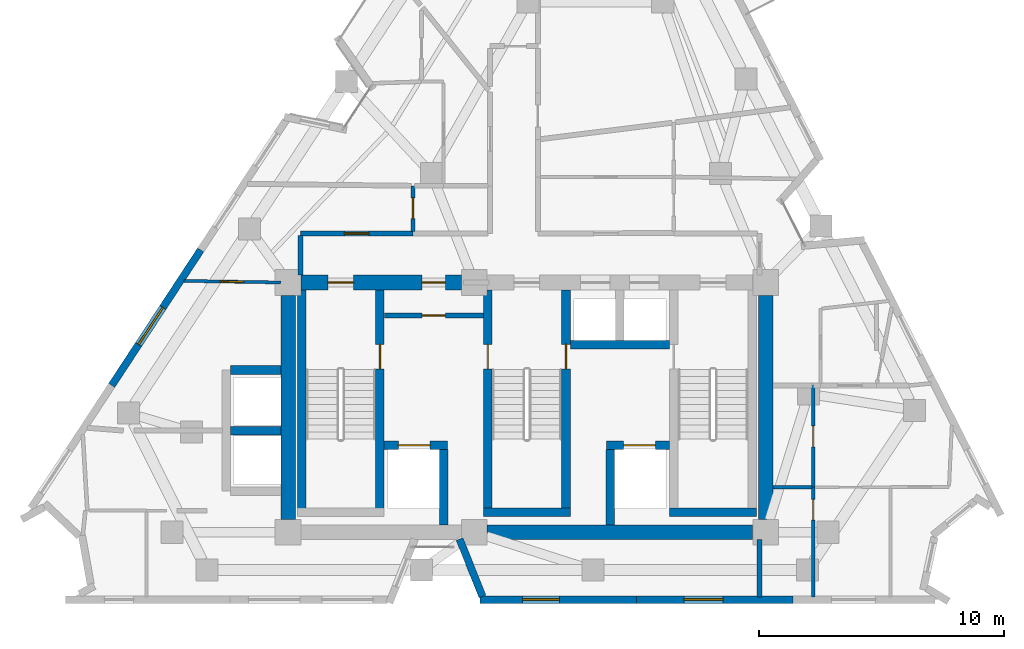
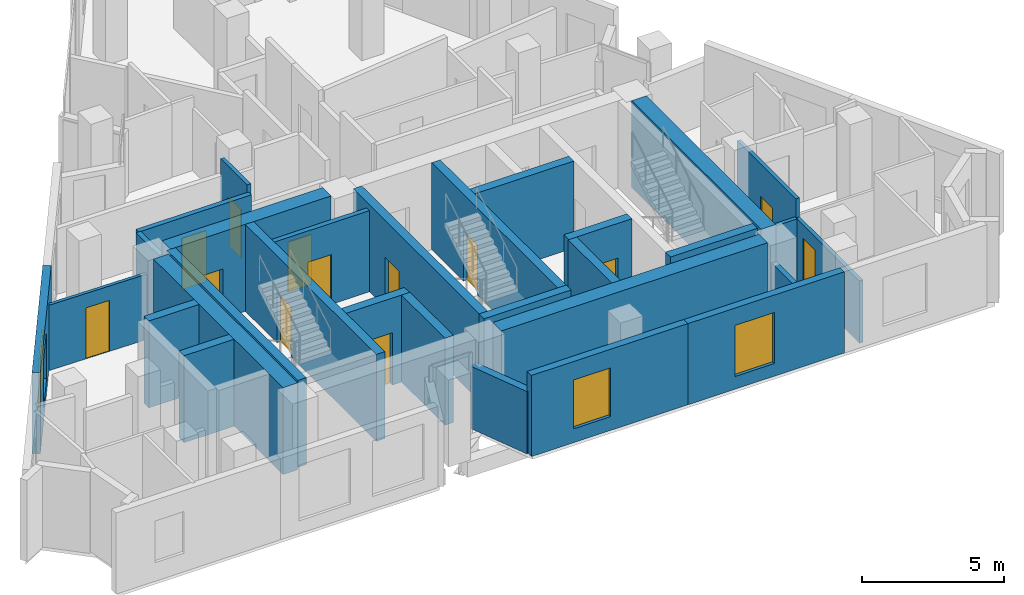
# One storey, part 5 of 9: 30 walls, 13 doors, 3 windows, 16 openings.
"""IFC4 building model written with IfcOpenShell, lengths in metres."""

from ifc_helpers import new_model, si_unit, direction, frame, frame_2d, origin, place, context, subcontext, project, spatial, rectangle, extrude, material, layer, layer_set, type_object, element, fill, save


model = new_model("IFC4")

# Units and contexts
model_context = context("Model", 3, precision=1e-05, world=origin(), true_north=direction((0.0, 1.0)))
body_context = subcontext(model_context, "Body", "Model", "MODEL_VIEW")
ifc_project = project(units=[si_unit("LENGTHUNIT", "METRE"), si_unit("AREAUNIT", "SQUARE_METRE"), si_unit("VOLUMEUNIT", "CUBIC_METRE"), si_unit("PLANEANGLEUNIT", "RADIAN"), si_unit("MASSUNIT", "GRAM", prefix="KILO")], contexts=[model_context])

# Site, building, storey
site_placement = place(None, origin())
site = spatial("IfcSite", under=ifc_project, at=site_placement, CompositionType="ELEMENT")
building_placement = place(site_placement, origin())
building = spatial("IfcBuilding", under=site, at=building_placement, Name="Almagre Mirador Tower", CompositionType="ELEMENT")
storey_placement = place(building_placement, frame((0.0, 0.0, 237.0)))
storey = spatial("IfcBuildingStorey", under=building, at=storey_placement, Name="L61", CompositionType="ELEMENT", Elevation=237.0)

# Wall, opening, window
ifc_material_1 = material(Name="Precast concrete C50/60", Category="concrete")
ifc_layer_1 = layer(ifc_material_1, 0.300048828125)
ifc_layer_set_1 = layer_set([ifc_layer_1], Name="Precast concrete C50/60")
wall_type_1 = type_object("IfcWallType", Name="WAL-EXT-300", PredefinedType="SOLIDWALL", material=ifc_layer_set_1)
wall_1_placement = place(storey_placement, frame((48.15869140625, 1.800048828125, 0.0), z_axis=(0.0, 0.0, 1.0), x_axis=(-1.0, 0.0, 0.0)))
wall_1 = element("IfcWall", 1, at=wall_1_placement, inside=storey, type_object=wall_type_1, Name="L61 expressed almagre precast frame wall 20", PredefinedType="SOLIDWALL", context=body_context, shape_type="SweptSolid", body=[
    extrude(rectangle(XDim=6.38134765625, YDim=0.300048828125, at=frame_2d((3.190673828125, 0.0))), origin(), (0.0, 0.0, 1.0), 3.5),
])
opening_1_placement = place(wall_1_placement, frame((2.85009765625, 0.0, 0.550048828125)))
opening_1 = element("IfcOpeningElement", 2, at=opening_1_placement, cuts=wall_1, Name="Opening WN-06", PredefinedType="OPENING", context=body_context, shape_type="SweptSolid", body=[
    extrude(rectangle(XDim=1.60009765625, YDim=2.199951171875, at=frame_2d((0.800048828125, 1.10009765625))), frame((0.0, 0.159902, 0.0), z_axis=(0.0, -1.0, 0.0), x_axis=(1.0, 0.0, 0.0)), (0.0, 0.0, 1.0), 0.320049),
])
ifc_material_2 = material(Name="Dark solar-control laminated hurricane glass", Category="glass")
window_type_1 = type_object("IfcWindowType", Name="WIN-1600X2200", PartitioningType="DOUBLE_PANEL_VERTICAL", PredefinedType="WINDOW", material=ifc_material_2)
window_1_placement = place(opening_1_placement, origin())
window_1 = element("IfcWindow", 3, at=window_1_placement, inside=storey, type_object=window_type_1, Name="L61 recessed hurricane window L61-UB-KT", OverallHeight=2.199951171875, OverallWidth=1.60009765625, PartitioningType="SINGLE_PANEL", PredefinedType="WINDOW", context=body_context, shape_type="SweptSolid", body=[
    extrude(rectangle(XDim=1.60009765625, YDim=2.199951171875, at=frame_2d((0.800048828125, 1.10009765625))), frame((0.0, 0.030029296875, 0.0), z_axis=(0.0, -1.0, 0.0), x_axis=(1.0, 0.0, 0.0)), (0.0, 0.0, 1.0), 0.06005859375),
])
fill(opening_1, window_1)

wall_2_placement = place(storey_placement, frame((41.77734375, 1.800048828125, 0.0), z_axis=(0.0, 0.0, 1.0), x_axis=(-1.0, 0.0, 0.0)))
wall_2 = element("IfcWall", 4, at=wall_2_placement, inside=storey, type_object=wall_type_1, Name="L61 expressed almagre precast frame wall 21", PredefinedType="SOLIDWALL", context=body_context, shape_type="SweptSolid", body=[
    extrude(rectangle(XDim=6.38134765625, YDim=0.300048828125, at=frame_2d((3.190673828125, 0.0))), origin(), (0.0, 0.0, 1.0), 3.5),
])
opening_2_placement = place(wall_2_placement, frame((3.14990234375, 0.0, 0.60009765625)))
opening_2 = element("IfcOpeningElement", 5, at=opening_2_placement, cuts=wall_2, Name="Opening WN-03", PredefinedType="OPENING", context=body_context, shape_type="SweptSolid", body=[
    extrude(rectangle(XDim=1.5, YDim=2.10009765625, at=frame_2d((0.75, 1.050048828125))), frame((0.0, 0.159902, 0.0), z_axis=(0.0, -1.0, 0.0), x_axis=(1.0, 0.0, 0.0)), (0.0, 0.0, 1.0), 0.320049),
])
ifc_material_3 = material(Name="Dark solar-control laminated hurricane glass", Category="glass")
window_type_2 = type_object("IfcWindowType", Name="WIN-1500X2100", PartitioningType="DOUBLE_PANEL_VERTICAL", PredefinedType="WINDOW", material=ifc_material_3)
window_2_placement = place(opening_2_placement, origin())
window_2 = element("IfcWindow", 6, at=window_2_placement, inside=storey, type_object=window_type_2, Name="L61 recessed hurricane window L61-UB-ST", OverallHeight=2.10009765625, OverallWidth=1.5, PartitioningType="SINGLE_PANEL", PredefinedType="WINDOW", context=body_context, shape_type="SweptSolid", body=[
    extrude(rectangle(XDim=1.5, YDim=2.10009765625, at=frame_2d((0.75, 1.050048828125))), frame((0.0, 0.030029296875, 0.0), z_axis=(0.0, -1.0, 0.0), x_axis=(1.0, 0.0, 0.0)), (0.0, 0.0, 1.0), 0.06005859375),
])
fill(opening_2, window_2)

# Wall
wall_3_placement = place(storey_placement, frame((35.486083984375, 1.92529296875, 0.0), z_axis=(0.0, 0.0, 1.0), x_axis=(-0.369457562636, 0.929247603931, 0.0)))
element("IfcWall", 7, at=wall_3_placement, inside=storey, type_object=wall_type_1, Name="L61 expressed almagre precast frame wall 22", PredefinedType="SOLIDWALL", context=body_context, shape_type="SweptSolid", body=[
    extrude(rectangle(XDim=2.52685546875, YDim=0.300048828125, at=frame_2d((1.263427734375, 0.0))), origin(), (0.0, 0.0, 1.0), 2.68994140625),
])

# Wall, opening, window
wall_4_placement = place(storey_placement, frame((20.3486328125, 10.55126953125, 0.0), z_axis=(0.0, 0.0, 1.0), x_axis=(0.549037128291, 0.835797961087, 0.0)))
wall_4 = element("IfcWall", 8, at=wall_4_placement, inside=storey, type_object=wall_type_1, Name="L61 expressed almagre precast frame wall 31", PredefinedType="SOLIDWALL", context=body_context, shape_type="SweptSolid", body=[
    extrude(rectangle(XDim=6.61083984375, YDim=0.300048828125, at=frame_2d((3.305419921875, 0.0))), origin(), (0.0, 0.0, 1.0), 3.5),
])
opening_3_placement = place(wall_4_placement, frame((2.0, 0.0, 0.60009765625)))
opening_3 = element("IfcOpeningElement", 9, at=opening_3_placement, cuts=wall_4, Name="Opening WN-01", PredefinedType="OPENING", context=body_context, shape_type="SweptSolid", body=[
    extrude(rectangle(XDim=1.800048828125, YDim=2.10009765625, at=frame_2d((0.89990234375, 1.050048828125))), frame((0.0, 0.159902, 0.0), z_axis=(0.0, -1.0, 0.0), x_axis=(1.0, 0.0, 0.0)), (0.0, 0.0, 1.0), 0.320049),
])
ifc_material_4 = material(Name="Dark solar-control laminated hurricane glass", Category="glass")
window_type_3 = type_object("IfcWindowType", Name="WIN-1800X2100", PartitioningType="DOUBLE_PANEL_VERTICAL", PredefinedType="WINDOW", material=ifc_material_4)
window_3_placement = place(opening_3_placement, origin())
window_3 = element("IfcWindow", 10, at=window_3_placement, inside=storey, type_object=window_type_3, Name="L61 recessed hurricane window L61-UD-KT", OverallHeight=2.10009765625, OverallWidth=1.800048828125, PartitioningType="SINGLE_PANEL", PredefinedType="WINDOW", context=body_context, shape_type="SweptSolid", body=[
    extrude(rectangle(XDim=1.800048828125, YDim=2.10009765625, at=frame_2d((0.89990234375, 1.050048828125))), frame((0.0, 0.030029296875, 0.0), z_axis=(0.0, -1.0, 0.0), x_axis=(1.0, 0.0, 0.0)), (0.0, 0.0, 1.0), 0.06005859375),
])
fill(opening_3, window_3)

# Wall, opening, door
ifc_material_5 = material(Name="Gypsum acoustic stud partition", Category="other")
ifc_layer_2 = layer(ifc_material_5, 0.125)
ifc_layer_set_2 = layer_set([ifc_layer_2], Name="Gypsum acoustic stud partition")
wall_type_2 = type_object("IfcWallType", Name="WAL-PRT-125-UTL", PredefinedType="PARTITIONING", material=ifc_layer_set_2)
wall_5_placement = place(storey_placement, frame((23.291015625, 14.81494140625, 0.0), z_axis=(0.0, 0.0, 1.0), x_axis=(0.999865488885, -0.016401345587, 0.0)))
wall_5 = element("IfcWall", 11, at=wall_5_placement, inside=storey, type_object=wall_type_2, Name="L61 interior partition 037", PredefinedType="PARTITIONING", context=body_context, shape_type="SweptSolid", body=[
    extrude(rectangle(XDim=3.95947265625, YDim=0.125, at=frame_2d((1.979736328125, 0.0))), origin(), (0.0, 0.0, 1.0), 2.820068359375),
])
opening_4_placement = place(wall_5_placement, frame((1.49169921875, 0.0, 0.0)))
opening_4 = element("IfcOpeningElement", 12, at=opening_4_placement, cuts=wall_5, Name="Opening UD-01", PredefinedType="OPENING", context=body_context, shape_type="SweptSolid", body=[
    extrude(rectangle(XDim=0.949951171875, YDim=2.199951171875, at=frame_2d((0.47509765625, 1.10009765625))), frame((0.0, 0.0725, 0.0), z_axis=(0.0, -1.0, 0.0), x_axis=(1.0, 0.0, 0.0)), (0.0, 0.0, 1.0), 0.145),
])
ifc_material_6 = material(Name="Solid American walnut timber", Category="wood")
door_type_1 = type_object("IfcDoorType", Name="DOR-UNR-950X2200", OperationType="NOTDEFINED", PredefinedType="DOOR", material=ifc_material_6)
door_1_placement = place(opening_4_placement, origin())
door_1 = element("IfcDoor", 13, at=door_1_placement, inside=storey, type_object=door_type_1, Name="DR-1887 L61 interior door L61-UD-ST to L61-UD-KT", OperationType="SINGLE_SWING_LEFT", OverallHeight=2.199951171875, OverallWidth=0.949951171875, PredefinedType="DOOR", context=body_context, shape_type="SweptSolid", body=[
    extrude(rectangle(XDim=0.949951171875, YDim=2.199951171875, at=frame_2d((0.47509765625, 1.10009765625))), frame((0.0, 0.02490234375, 0.0), z_axis=(0.0, -1.0, 0.0), x_axis=(1.0, 0.0, 0.0)), (0.0, 0.0, 1.0), 0.050048828125),
])
fill(opening_4, door_1)

ifc_material_7 = material(Name="Gypsum acoustic stud partition", Category="other")
ifc_layer_3 = layer(ifc_material_7, 0.14990234375)
ifc_layer_set_3 = layer_set([ifc_layer_3], Name="Gypsum acoustic stud partition")
wall_type_3 = type_object("IfcWallType", Name="WAL-PRT-150-STD", PredefinedType="PARTITIONING", material=ifc_layer_set_3)
wall_6_placement = place(storey_placement, frame((49.0, 10.5400390625, 0.0), z_axis=(0.0, 0.0, 1.0), x_axis=(0.0, -1.0, 0.0)))
wall_6 = element("IfcWall", 14, at=wall_6_placement, inside=storey, type_object=wall_type_3, Name="L61 interior partition 026", PredefinedType="PARTITIONING", context=body_context, shape_type="SweptSolid", body=[
    extrude(rectangle(XDim=4.150146484375, YDim=0.14990234375, at=frame_2d((2.0751953125, 0.0))), origin(), (0.0, 0.0, 1.0), 3.5),
])
opening_5_placement = place(wall_6_placement, frame((1.64990234375, 0.0, 0.0)))
opening_5 = element("IfcOpeningElement", 15, at=opening_5_placement, cuts=wall_6, Name="Opening UD-04", PredefinedType="OPENING", context=body_context, shape_type="SweptSolid", body=[
    extrude(rectangle(XDim=0.85009765625, YDim=2.10009765625, at=frame_2d((0.425048828125, 1.050048828125))), frame((0.0, 0.084951, 0.0), z_axis=(0.0, -1.0, 0.0), x_axis=(1.0, 0.0, 0.0)), (0.0, 0.0, 1.0), 0.169902),
])
ifc_material_8 = material(Name="Moisture-resistant oak timber", Category="wood")
door_type_2 = type_object("IfcDoorType", Name="DOR-UNR-850X2100", OperationType="NOTDEFINED", PredefinedType="DOOR", material=ifc_material_8)
door_2_placement = place(opening_5_placement, origin())
door_2 = element("IfcDoor", 16, at=door_2_placement, inside=storey, type_object=door_type_2, Name="DR-1883 L61 interior door L61-UC-LV to L61-UC-HB", OperationType="SINGLE_SWING_LEFT", OverallHeight=2.10009765625, OverallWidth=0.85009765625, PredefinedType="DOOR", context=body_context, shape_type="SweptSolid", body=[
    extrude(rectangle(XDim=0.85009765625, YDim=2.10009765625, at=frame_2d((0.425048828125, 1.050048828125))), frame((0.0, 0.02490234375, 0.0), z_axis=(0.0, -1.0, 0.0), x_axis=(1.0, 0.0, 0.0)), (0.0, 0.0, 1.0), 0.050048828125),
])
fill(opening_5, door_2)

# Wall
wall_7_placement = place(storey_placement, frame((47.35009765625, 6.389892578125, 0.0), z_axis=(0.0, 0.0, 1.0), x_axis=(1.0, 0.0, 0.0)))
element("IfcWall", 17, at=wall_7_placement, inside=storey, type_object=wall_type_3, Name="L61 interior partition 033", PredefinedType="PARTITIONING", context=body_context, shape_type="SweptSolid", body=[
    extrude(rectangle(XDim=1.58984375, YDim=0.14990234375, at=frame_2d((0.794921875, 0.0))), origin(), (0.0, 0.0, 1.0), 2.68505859375),
])

# Wall, opening, door
wall_8_placement = place(storey_placement, frame((49.0, 6.389892578125, 0.0), z_axis=(0.0, 0.0, 1.0), x_axis=(0.0, -1.0, 0.0)))
wall_8 = element("IfcWall", 18, at=wall_8_placement, inside=storey, type_object=wall_type_3, Name="L61 interior partition 036", PredefinedType="PARTITIONING", context=body_context, shape_type="SweptSolid", body=[
    extrude(rectangle(XDim=4.489990234375, YDim=0.14990234375, at=frame_2d((2.2451171875, 0.0))), origin(), (0.0, 0.0, 1.0), 2.68505859375),
])
opening_6_placement = place(wall_8_placement, frame((0.497802734375, 0.0, 0.0)))
opening_6 = element("IfcOpeningElement", 19, at=opening_6_placement, cuts=wall_8, Name="Opening UD-04", PredefinedType="OPENING", context=body_context, shape_type="SweptSolid", body=[
    extrude(rectangle(XDim=0.85009765625, YDim=2.10009765625, at=frame_2d((0.425048828125, 1.050048828125))), frame((0.0, 0.084951, 0.0), z_axis=(0.0, -1.0, 0.0), x_axis=(1.0, 0.0, 0.0)), (0.0, 0.0, 1.0), 0.169902),
])
door_3_placement = place(opening_6_placement, origin())
door_3 = element("IfcDoor", 20, at=door_3_placement, inside=storey, type_object=door_type_2, Name="DR-1885 L61 interior door L61-UC-MB to L61-UC-EN", OperationType="SINGLE_SWING_LEFT", OverallHeight=2.10009765625, OverallWidth=0.85009765625, PredefinedType="DOOR", context=body_context, shape_type="SweptSolid", body=[
    extrude(rectangle(XDim=0.85009765625, YDim=2.10009765625, at=frame_2d((0.425048828125, 1.050048828125))), frame((0.0, 0.02490234375, 0.0), z_axis=(0.0, -1.0, 0.0), x_axis=(1.0, 0.0, 0.0)), (0.0, 0.0, 1.0), 0.050048828125),
])
fill(opening_6, door_3)

wall_9_placement = place(storey_placement, frame((32.64990234375, 16.8349609375, 0.0), z_axis=(0.0, 0.0, 1.0), x_axis=(0.0, 1.0, 0.0)))
wall_9 = element("IfcWall", 21, at=wall_9_placement, inside=storey, type_object=wall_type_3, Name="L61 interior partition 038", PredefinedType="PARTITIONING", context=body_context, shape_type="SweptSolid", body=[
    extrude(rectangle(XDim=1.864990234375, YDim=0.14990234375, at=frame_2d((0.9326171875, 0.0))), origin(), (0.0, 0.0, 1.0), 3.5),
])
opening_7_placement = place(wall_9_placement, frame((0.523681640625, 0.0, 0.0)))
opening_7 = element("IfcOpeningElement", 22, at=opening_7_placement, cuts=wall_9, Name="Opening UD-04", PredefinedType="OPENING", context=body_context, shape_type="SweptSolid", body=[
    extrude(rectangle(XDim=0.85009765625, YDim=2.10009765625, at=frame_2d((0.425048828125, 1.050048828125))), frame((0.0, 0.084951, 0.0), z_axis=(0.0, -1.0, 0.0), x_axis=(1.0, 0.0, 0.0)), (0.0, 0.0, 1.0), 0.169902),
])
door_4_placement = place(opening_7_placement, origin())
door_4 = element("IfcDoor", 23, at=door_4_placement, inside=storey, type_object=door_type_2, Name="DR-1888 L61 interior door L61-UD-ST to L61-UD-BT", OperationType="SINGLE_SWING_RIGHT", OverallHeight=2.10009765625, OverallWidth=0.85009765625, PredefinedType="DOOR", context=body_context, shape_type="SweptSolid", body=[
    extrude(rectangle(XDim=0.85009765625, YDim=2.10009765625, at=frame_2d((0.425048828125, 1.050048828125))), frame((0.0, 0.02490234375, 0.0), z_axis=(0.0, -1.0, 0.0), x_axis=(1.0, 0.0, 0.0)), (0.0, 0.0, 1.0), 0.050048828125),
])
fill(opening_7, door_4)

ifc_material_9 = material(Name="Gypsum acoustic stud partition", Category="other")
ifc_layer_4 = layer(ifc_material_9, 0.199951171875)
ifc_layer_set_4 = layer_set([ifc_layer_4], Name="Gypsum acoustic stud partition")
wall_type_4 = type_object("IfcWallType", Name="WAL-PRT-200-EI60", PredefinedType="PARTITIONING", material=ifc_layer_set_4)
wall_10_placement = place(storey_placement, frame((31.47998046875, 13.39990234375, 0.0), z_axis=(0.0, 0.0, 1.0), x_axis=(1.0, 0.0, 0.0)))
wall_10 = element("IfcWall", 24, at=wall_10_placement, inside=storey, type_object=wall_type_4, Name="L61 FFL-1 north enclosure wall", PredefinedType="PARTITIONING", context=body_context, shape_type="SweptSolid", body=[
    extrude(rectangle(XDim=4.0400390625, YDim=0.199951171875, at=frame_2d((2.02001953125, 0.0))), origin(), (0.0, 0.0, 1.0), 3.5),
])
opening_8_placement = place(wall_10_placement, frame((1.544921875, 0.0, 0.0)))
opening_8 = element("IfcOpeningElement", 25, at=opening_8_placement, cuts=wall_10, Name="Opening ID-02", PredefinedType="OPENING", context=body_context, shape_type="SweptSolid", body=[
    extrude(rectangle(XDim=0.949951171875, YDim=2.14990234375, at=frame_2d((0.47509765625, 1.074951171875))), frame((0.0, 0.110098, 0.0), z_axis=(0.0, -1.0, 0.0), x_axis=(1.0, 0.0, 0.0)), (0.0, 0.0, 1.0), 0.219951),
])
ifc_material_10 = material(Name="Fire-rated walnut timber", Category="wood")
door_type_3 = type_object("IfcDoorType", Name="DOR-FD60-950X2150", OperationType="NOTDEFINED", PredefinedType="DOOR", material=ifc_material_10)
door_5_placement = place(opening_8_placement, origin())
door_5 = element("IfcDoor", 26, at=door_5_placement, inside=storey, type_object=door_type_3, Name="DR-1875 L61 FFL-1 north smoke door", OperationType="SINGLE_SWING_RIGHT", OverallHeight=2.14990234375, OverallWidth=0.949951171875, PredefinedType="DOOR", context=body_context, shape_type="SweptSolid", body=[
    extrude(rectangle(XDim=0.949951171875, YDim=2.14990234375, at=frame_2d((0.47509765625, 1.074951171875))), frame((0.0, 0.02490234375, 0.0), z_axis=(0.0, -1.0, 0.0), x_axis=(1.0, 0.0, 0.0)), (0.0, 0.0, 1.0), 0.050048828125),
])
fill(opening_8, door_5)

wall_11_placement = place(storey_placement, frame((32.64990234375, 16.75, 0.0), z_axis=(0.0, 0.0, 1.0), x_axis=(-1.0, 0.0, 0.0)))
wall_11 = element("IfcWall", 27, at=wall_11_placement, inside=storey, type_object=wall_type_4, Name="L61 interior partition 001", PredefinedType="PARTITIONING", context=body_context, shape_type="SweptSolid", body=[
    extrude(rectangle(XDim=4.599853515625, YDim=0.199951171875, at=frame_2d((2.2998046875, 0.0))), origin(), (0.0, 0.0, 1.0), 3.159912109375),
])
opening_9_placement = place(wall_11_placement, frame((1.800048828125, 0.0, 0.0)))
opening_9 = element("IfcOpeningElement", 28, at=opening_9_placement, cuts=wall_11, Name="Opening ID-01", PredefinedType="OPENING", context=body_context, shape_type="SweptSolid", body=[
    extrude(rectangle(XDim=1.0, YDim=2.199951171875, at=frame_2d((0.5, 1.10009765625))), frame((0.0, 0.110098, 0.0), z_axis=(0.0, -1.0, 0.0), x_axis=(1.0, 0.0, 0.0)), (0.0, 0.0, 1.0), 0.219951),
])
ifc_material_11 = material(Name="Fire-rated walnut timber", Category="wood")
door_type_4 = type_object("IfcDoorType", Name="DOR-FD60-1000X2200", OperationType="NOTDEFINED", PredefinedType="DOOR", material=ifc_material_11)
door_6_placement = place(opening_9_placement, origin())
door_6 = element("IfcDoor", 29, at=door_6_placement, inside=storey, type_object=door_type_4, Name="DR-1886 L61 interior door L61-RCOR to L61-UD-ST", OperationType="SINGLE_SWING_RIGHT", OverallHeight=2.199951171875, OverallWidth=1.0, PredefinedType="DOOR", context=body_context, shape_type="SweptSolid", body=[
    extrude(rectangle(XDim=1.0, YDim=2.199951171875, at=frame_2d((0.5, 1.10009765625))), frame((0.0, 0.02490234375, 0.0), z_axis=(0.0, -1.0, 0.0), x_axis=(1.0, 0.0, 0.0)), (0.0, 0.0, 1.0), 0.050048828125),
])
fill(opening_9, door_6)

# Walls
wall_12_placement = place(storey_placement, frame((28.050048828125, 16.6650390625, 0.0), z_axis=(0.0, 0.0, 1.0), x_axis=(0.0, -1.0, 0.0)))
element("IfcWall", 30, at=wall_12_placement, inside=storey, type_object=wall_type_4, Name="L61 interior partition 002", PredefinedType="PARTITIONING", context=body_context, shape_type="SweptSolid", body=[
    extrude(rectangle(XDim=1.614990234375, YDim=0.199951171875, at=frame_2d((0.8076171875, 0.0))), origin(), (0.0, 0.0, 1.0), 3.159912109375),
])
wall_13_placement = place(storey_placement, frame((46.800048828125, 1.89990234375, 0.0), z_axis=(0.0, 0.0, 1.0), x_axis=(0.0, 1.0, 0.0)))
element("IfcWall", 31, at=wall_13_placement, inside=storey, type_object=wall_type_4, Name="L61 interior partition 025", PredefinedType="PARTITIONING", context=body_context, shape_type="SweptSolid", body=[
    extrude(rectangle(XDim=2.35009765625, YDim=0.199951171875, at=frame_2d((1.175048828125, 0.0))), origin(), (0.0, 0.0, 1.0), 2.820068359375),
])
ifc_material_12 = material(Name="Concrete C60/75", Category="concrete")
ifc_layer_5 = layer(ifc_material_12, 0.35009765625)
ifc_layer_set_5 = layer_set([ifc_layer_5], Name="Concrete C60/75")
wall_type_5 = type_object("IfcWallType", Name="WAL-SHF-350", PredefinedType="SOLIDWALL", material=ifc_layer_set_5)
wall_14_placement = place(storey_placement, frame((28.10009765625, 5.199951171875, 0.0), z_axis=(0.0, 0.0, 1.0), x_axis=(0.0, 1.0, 0.0)))
element("IfcWall", 32, at=wall_14_placement, inside=storey, type_object=wall_type_5, Name="L61 shaft wall ST1-W", PredefinedType="SOLIDWALL", context=body_context, shape_type="SweptSolid", body=[
    extrude(rectangle(XDim=9.25, YDim=0.35009765625, at=frame_2d((4.625, 0.0))), origin(), (0.0, 0.0, 1.0), 3.75),
])

# Wall, opening, door
wall_15_placement = place(storey_placement, frame((31.300048828125, 5.199951171875, 0.0), z_axis=(0.0, 0.0, 1.0), x_axis=(0.0, 1.0, 0.0)))
wall_15 = element("IfcWall", 33, at=wall_15_placement, inside=storey, type_object=wall_type_5, Name="L61 shaft wall ST1-E", PredefinedType="SOLIDWALL", context=body_context, shape_type="SweptSolid", body=[
    extrude(rectangle(XDim=9.25, YDim=0.35009765625, at=frame_2d((4.625, 0.0))), origin(), (0.0, 0.0, 1.0), 3.75),
])
opening_10_placement = place(wall_15_placement, frame((6.02001953125, 0.0, 0.0)))
opening_10 = element("IfcOpeningElement", 34, at=opening_10_placement, cuts=wall_15, Name="Opening FD-01", PredefinedType="OPENING", context=body_context, shape_type="SweptSolid", body=[
    extrude(rectangle(XDim=1.0, YDim=2.14990234375, at=frame_2d((0.5, 1.074951171875))), frame((0.0, 0.185049, 0.0), z_axis=(0.0, -1.0, 0.0), x_axis=(1.0, 0.0, 0.0)), (0.0, 0.0, 1.0), 0.370098),
])
ifc_material_13 = material(Name="Fire-rated hollow steel", Category="steel")
door_type_5 = type_object("IfcDoorType", Name="DOR-FFL-1000X2150", OperationType="NOTDEFINED", PredefinedType="DOOR", material=ifc_material_13)
door_7_placement = place(opening_10_placement, origin())
door_7 = element("IfcDoor", 35, at=door_7_placement, inside=storey, type_object=door_type_5, Name="DR-1876 L61 FFL1-ST1 smokeproof door", OperationType="SINGLE_SWING_RIGHT", OverallHeight=2.14990234375, OverallWidth=1.0, PredefinedType="DOOR", context=body_context, shape_type="SweptSolid", body=[
    extrude(rectangle(XDim=1.0, YDim=2.14990234375, at=frame_2d((0.5, 1.074951171875))), frame((0.0, 0.02490234375, 0.0), z_axis=(0.0, -1.0, 0.0), x_axis=(1.0, 0.0, 0.0)), (0.0, 0.0, 1.0), 0.050048828125),
])
fill(opening_10, door_7)

wall_16_placement = place(storey_placement, frame((35.699951171875, 5.199951171875, 0.0), z_axis=(0.0, 0.0, 1.0), x_axis=(0.0, 1.0, 0.0)))
wall_16 = element("IfcWall", 36, at=wall_16_placement, inside=storey, type_object=wall_type_5, Name="L61 shaft wall ST2-W", PredefinedType="SOLIDWALL", context=body_context, shape_type="SweptSolid", body=[
    extrude(rectangle(XDim=9.25, YDim=0.35009765625, at=frame_2d((4.625, 0.0))), origin(), (0.0, 0.0, 1.0), 3.75),
])
opening_11_placement = place(wall_16_placement, frame((6.02001953125, 0.0, 0.0)))
opening_11 = element("IfcOpeningElement", 37, at=opening_11_placement, cuts=wall_16, Name="Opening FD-01", PredefinedType="OPENING", context=body_context, shape_type="SweptSolid", body=[
    extrude(rectangle(XDim=1.0, YDim=2.14990234375, at=frame_2d((0.5, 1.074951171875))), frame((0.0, 0.185049, 0.0), z_axis=(0.0, -1.0, 0.0), x_axis=(1.0, 0.0, 0.0)), (0.0, 0.0, 1.0), 0.370098),
])
door_8_placement = place(opening_11_placement, origin())
door_8 = element("IfcDoor", 38, at=door_8_placement, inside=storey, type_object=door_type_5, Name="DR-1877 L61 FFL1-ST2 smokeproof door", OperationType="SINGLE_SWING_LEFT", OverallHeight=2.14990234375, OverallWidth=1.0, PredefinedType="DOOR", context=body_context, shape_type="SweptSolid", body=[
    extrude(rectangle(XDim=1.0, YDim=2.14990234375, at=frame_2d((0.5, 1.074951171875))), frame((0.0, 0.02490234375, 0.0), z_axis=(0.0, -1.0, 0.0), x_axis=(1.0, 0.0, 0.0)), (0.0, 0.0, 1.0), 0.050048828125),
])
fill(opening_11, door_8)

wall_17_placement = place(storey_placement, frame((38.89990234375, 5.199951171875, 0.0), z_axis=(0.0, 0.0, 1.0), x_axis=(0.0, 1.0, 0.0)))
wall_17 = element("IfcWall", 39, at=wall_17_placement, inside=storey, type_object=wall_type_5, Name="L61 shaft wall ST2-E", PredefinedType="SOLIDWALL", context=body_context, shape_type="SweptSolid", body=[
    extrude(rectangle(XDim=9.25, YDim=0.35009765625, at=frame_2d((4.625, 0.0))), origin(), (0.0, 0.0, 1.0), 3.75),
])
opening_12_placement = place(wall_17_placement, frame((6.02001953125, 0.0, 0.0)))
opening_12 = element("IfcOpeningElement", 40, at=opening_12_placement, cuts=wall_17, Name="Opening FD-01", PredefinedType="OPENING", context=body_context, shape_type="SweptSolid", body=[
    extrude(rectangle(XDim=1.0, YDim=2.14990234375, at=frame_2d((0.5, 1.074951171875))), frame((0.0, 0.185049, 0.0), z_axis=(0.0, -1.0, 0.0), x_axis=(1.0, 0.0, 0.0)), (0.0, 0.0, 1.0), 0.370098),
])
door_9_placement = place(opening_12_placement, origin())
door_9 = element("IfcDoor", 41, at=door_9_placement, inside=storey, type_object=door_type_5, Name="DR-1878 L61 FFL2-ST2 smokeproof door", OperationType="SINGLE_SWING_RIGHT", OverallHeight=2.14990234375, OverallWidth=1.0, PredefinedType="DOOR", context=body_context, shape_type="SweptSolid", body=[
    extrude(rectangle(XDim=1.0, YDim=2.14990234375, at=frame_2d((0.5, 1.074951171875))), frame((0.0, 0.02490234375, 0.0), z_axis=(0.0, -1.0, 0.0), x_axis=(1.0, 0.0, 0.0)), (0.0, 0.0, 1.0), 0.050048828125),
])
fill(opening_12, door_9)

# Walls
for number, where, z_axis, x_axis, name in (
    (42, (35.52490234375, 5.375, 0.0), (0.0, 0.0, 1.0), (1.0, 0.0, 0.0), "L61 shaft wall ST2-S"),
    (43, (43.125, 5.375, 0.0), (0.0, 0.0, 1.0), (1.0, 0.0, 0.0), "L61 shaft wall ST3-S"),
):
    element("IfcWall", number, at=place(storey_placement, frame(where, z_axis=z_axis, x_axis=x_axis)), inside=storey, type_object=wall_type_5, Name=name, PredefinedType="SOLIDWALL", context=body_context, shape_type="SweptSolid", body=[
        extrude(rectangle(XDim=3.550048828125, YDim=0.35009765625, at=frame_2d((1.77490234375, 0.0))), origin(), (0.0, 0.0, 1.0), 3.75),
    ])

# Wall, opening, door
wall_18_placement = place(storey_placement, frame((31.47509765625, 8.10009765625, 0.0), z_axis=(0.0, 0.0, 1.0), x_axis=(1.0, 0.0, 0.0)))
wall_18 = element("IfcWall", 44, at=wall_18_placement, inside=storey, type_object=wall_type_5, Name="L61 shaft wall FSAE1-N", PredefinedType="SOLIDWALL", context=body_context, shape_type="SweptSolid", body=[
    extrude(rectangle(XDim=2.574951171875, YDim=0.35009765625, at=frame_2d((1.28759765625, 0.0))), origin(), (0.0, 0.0, 1.0), 3.75),
])
opening_13_placement = place(wall_18_placement, frame((0.574951171875, 0.0, 0.0)))
opening_13 = element("IfcOpeningElement", 45, at=opening_13_placement, cuts=wall_18, Name="Opening LD-03", PredefinedType="OPENING", context=body_context, shape_type="SweptSolid", body=[
    extrude(rectangle(XDim=1.300048828125, YDim=2.25, at=frame_2d((0.64990234375, 1.125))), frame((0.0, 0.185049, 0.0), z_axis=(0.0, -1.0, 0.0), x_axis=(1.0, 0.0, 0.0)), (0.0, 0.0, 1.0), 0.370098),
])
ifc_material_14 = material(Name="Hollow stainless steel", Category="steel")
door_type_6 = type_object("IfcDoorType", Name="DOR-LD-1300X2250", OperationType="DOUBLE_DOOR_SLIDING", PredefinedType="DOOR", material=ifc_material_14)
door_10_placement = place(opening_13_placement, origin())
door_10 = element("IfcDoor", 46, at=door_10_placement, inside=storey, type_object=door_type_6, Name="DR-1901 L61 FSAE-1 lift landing door", OperationType="DOUBLE_DOOR_SLIDING", OverallHeight=2.25, OverallWidth=1.300048828125, PredefinedType="DOOR", context=body_context, shape_type="SweptSolid", body=[
    extrude(rectangle(XDim=1.300048828125, YDim=2.25, at=frame_2d((0.64990234375, 1.125))), frame((0.0, 0.02490234375, 0.0), z_axis=(0.0, -1.0, 0.0), x_axis=(1.0, 0.0, 0.0)), (0.0, 0.0, 1.0), 0.050048828125),
])
fill(opening_13, door_10)

wall_19_placement = place(storey_placement, frame((40.550048828125, 8.10009765625, 0.0), z_axis=(0.0, 0.0, 1.0), x_axis=(1.0, 0.0, 0.0)))
wall_19 = element("IfcWall", 47, at=wall_19_placement, inside=storey, type_object=wall_type_5, Name="L61 shaft wall FSAE2-N", PredefinedType="SOLIDWALL", context=body_context, shape_type="SweptSolid", body=[
    extrude(rectangle(XDim=2.574951171875, YDim=0.35009765625, at=frame_2d((1.28759765625, 0.0))), origin(), (0.0, 0.0, 1.0), 3.75),
])
opening_14_placement = place(wall_19_placement, frame((0.699951171875, 0.0, 0.0)))
opening_14 = element("IfcOpeningElement", 48, at=opening_14_placement, cuts=wall_19, Name="Opening LD-03", PredefinedType="OPENING", context=body_context, shape_type="SweptSolid", body=[
    extrude(rectangle(XDim=1.300048828125, YDim=2.25, at=frame_2d((0.64990234375, 1.125))), frame((0.0, 0.185049, 0.0), z_axis=(0.0, -1.0, 0.0), x_axis=(1.0, 0.0, 0.0)), (0.0, 0.0, 1.0), 0.370098),
])
door_11_placement = place(opening_14_placement, origin())
door_11 = element("IfcDoor", 49, at=door_11_placement, inside=storey, type_object=door_type_6, Name="DR-1902 L61 FSAE-2 lift landing door", OperationType="DOUBLE_DOOR_SLIDING", OverallHeight=2.25, OverallWidth=1.300048828125, PredefinedType="DOOR", context=body_context, shape_type="SweptSolid", body=[
    extrude(rectangle(XDim=1.300048828125, YDim=2.25, at=frame_2d((0.64990234375, 1.125))), frame((0.0, 0.02490234375, 0.0), z_axis=(0.0, -1.0, 0.0), x_axis=(1.0, 0.0, 0.0)), (0.0, 0.0, 1.0), 0.050048828125),
])
fill(opening_14, door_11)

# Walls
for number, where, z_axis, x_axis, name in (
    (50, (33.89990234375, 4.85009765625, 0.0), (0.0, 0.0, 1.0), (0.0, 1.0, 0.0), "L61 shaft wall FSAE1-E"),
    (51, (40.699951171875, 4.85009765625, 0.0), (0.0, 0.0, 1.0), (0.0, 1.0, 0.0), "L61 shaft wall FSAE2-W"),
):
    element("IfcWall", number, at=place(storey_placement, frame(where, z_axis=z_axis, x_axis=x_axis)), inside=storey, type_object=wall_type_5, Name=name, PredefinedType="SOLIDWALL", context=body_context, shape_type="SweptSolid", body=[
        extrude(rectangle(XDim=3.074951171875, YDim=0.35009765625, at=frame_2d((1.53759765625, 0.0))), origin(), (0.0, 0.0, 1.0), 3.75),
    ])
wall_20_placement = place(storey_placement, frame((39.074951171875, 12.199951171875, 0.0), z_axis=(0.0, 0.0, 1.0), x_axis=(1.0, 0.0, 0.0)))
element("IfcWall", 52, at=wall_20_placement, inside=storey, type_object=wall_type_5, Name="L61 shaft wall PLH-S", PredefinedType="SOLIDWALL", context=body_context, shape_type="SweptSolid", body=[
    extrude(rectangle(XDim=4.050048828125, YDim=0.35009765625, at=frame_2d((2.02490234375, 0.0))), origin(), (0.0, 0.0, 1.0), 3.75),
])
for number, where, z_axis, x_axis, name in (
    (53, (25.199951171875, 8.699951171875, 0.0), (0.0, 0.0, 1.0), (1.0, 0.0, 0.0), "L61 shaft wall OL-M"),
    (54, (25.199951171875, 11.175048828125, 0.0), (0.0, 0.0, 1.0), (1.0, 0.0, 0.0), "L61 shaft wall OL-N"),
):
    element("IfcWall", number, at=place(storey_placement, frame(where, z_axis=z_axis, x_axis=x_axis)), inside=storey, type_object=wall_type_5, Name=name, PredefinedType="SOLIDWALL", context=body_context, shape_type="SweptSolid", body=[
        extrude(rectangle(XDim=2.050048828125, YDim=0.35009765625, at=frame_2d((1.02490234375, 0.0))), origin(), (0.0, 0.0, 1.0), 3.75),
    ])
ifc_material_15 = material(Name="Concrete C60/75", Category="concrete")
ifc_layer_6 = layer(ifc_material_15, 0.60009765625)
ifc_layer_set_6 = layer_set([ifc_layer_6], Name="Concrete C60/75")
wall_type_6 = type_object("IfcWallType", Name="WAL-SHR-600", PredefinedType="SHEAR", material=ifc_layer_set_6)
wall_21_placement = place(storey_placement, frame((35.675048828125, 4.550048828125, 0.0), z_axis=(0.0, 0.0, 1.0), x_axis=(1.0, 0.0, 0.0)))
element("IfcWall", 55, at=wall_21_placement, inside=storey, type_object=wall_type_6, Name="L61 core shear wall S2", PredefinedType="SHEAR", context=body_context, shape_type="SweptSolid", body=[
    extrude(rectangle(XDim=10.849853515625, YDim=0.60009765625, at=frame_2d((5.4248046875, 0.0))), origin(), (0.0, 0.0, 1.0), 3.75),
])

# Wall, openings, doors
wall_22_placement = place(storey_placement, frame((28.074951171875, 14.75, 0.0), z_axis=(0.0, 0.0, 1.0), x_axis=(1.0, 0.0, 0.0)))
wall_22 = element("IfcWall", 56, at=wall_22_placement, inside=storey, type_object=wall_type_6, Name="L61 core shear wall N1", PredefinedType="SHEAR", context=body_context, shape_type="SweptSolid", body=[
    extrude(rectangle(XDim=6.550048828125, YDim=0.60009765625, at=frame_2d((3.27490234375, 0.0))), origin(), (0.0, 0.0, 1.0), 3.75),
])
opening_15_placement = place(wall_22_placement, frame((1.10009765625, 0.0, 0.0)))
opening_15 = element("IfcOpeningElement", 57, at=opening_15_placement, cuts=wall_22, Name="Opening SD-01", PredefinedType="OPENING", context=body_context, shape_type="SweptSolid", body=[
    extrude(rectangle(XDim=1.050048828125, YDim=2.14990234375, at=frame_2d((0.52490234375, 1.074951171875))), frame((0.0, 0.310049, 0.0), z_axis=(0.0, -1.0, 0.0), x_axis=(1.0, 0.0, 0.0)), (0.0, 0.0, 1.0), 0.620098),
])
opening_16_placement = place(wall_22_placement, frame((4.949951171875, 0.0, 0.0)))
opening_16 = element("IfcOpeningElement", 58, at=opening_16_placement, cuts=wall_22, Name="Opening FD-02", PredefinedType="OPENING", context=body_context, shape_type="SweptSolid", body=[
    extrude(rectangle(XDim=0.949951171875, YDim=2.14990234375, at=frame_2d((0.47509765625, 1.074951171875))), frame((0.0, 0.310049, 0.0), z_axis=(0.0, -1.0, 0.0), x_axis=(1.0, 0.0, 0.0)), (0.0, 0.0, 1.0), 0.620098),
])
ifc_material_16 = material(Name="Fire-rated hollow steel", Category="steel")
door_type_7 = type_object("IfcDoorType", Name="DOR-FD90-950X2150", OperationType="NOTDEFINED", PredefinedType="DOOR", material=ifc_material_16)
door_12_placement = place(opening_16_placement, origin())
door_12 = element("IfcDoor", 59, at=door_12_placement, inside=storey, type_object=door_type_7, Name="DR-1874 L61 core equipment room north door", OperationType="SINGLE_SWING_LEFT", OverallHeight=2.14990234375, OverallWidth=0.949951171875, PredefinedType="DOOR", context=body_context, shape_type="SweptSolid", body=[
    extrude(rectangle(XDim=0.949951171875, YDim=2.14990234375, at=frame_2d((0.47509765625, 1.074951171875))), frame((0.0, 0.02490234375, 0.0), z_axis=(0.0, -1.0, 0.0), x_axis=(1.0, 0.0, 0.0)), (0.0, 0.0, 1.0), 0.050048828125),
])
fill(opening_16, door_12)
ifc_material_17 = material(Name="Fire-rated hollow steel", Category="steel")
door_type_8 = type_object("IfcDoorType", Name="DOR-ST-1050X2150", OperationType="NOTDEFINED", PredefinedType="DOOR", material=ifc_material_17)
door_13_placement = place(opening_15_placement, origin())
door_13 = element("IfcDoor", 60, at=door_13_placement, inside=storey, type_object=door_type_8, Name="DR-1905 L61 protected exit stair ST-1 door", OperationType="SINGLE_SWING_LEFT", OverallHeight=2.14990234375, OverallWidth=1.050048828125, PredefinedType="DOOR", context=body_context, shape_type="SweptSolid", body=[
    extrude(rectangle(XDim=1.050048828125, YDim=2.14990234375, at=frame_2d((0.52490234375, 1.074951171875))), frame((0.0, 0.02490234375, 0.0), z_axis=(0.0, -1.0, 0.0), x_axis=(1.0, 0.0, 0.0)), (0.0, 0.0, 1.0), 0.050048828125),
])
fill(opening_15, door_13)

# Walls
for number, where, z_axis, x_axis, name in (
    (61, (27.550048828125, 5.074951171875, 0.0), (0.0, 0.0, 1.0), (0.0, 1.0, 0.0), "L61 core shear wall W1"),
    (62, (47.050048828125, 5.074951171875, 0.0), (0.0, 0.0, 1.0), (0.0, 1.0, 0.0), "L61 core shear wall E1"),
):
    element("IfcWall", number, at=place(storey_placement, frame(where, z_axis=z_axis, x_axis=x_axis)), inside=storey, type_object=wall_type_6, Name=name, PredefinedType="SHEAR", context=body_context, shape_type="SweptSolid", body=[
        extrude(rectangle(XDim=9.150146484375, YDim=0.60009765625, at=frame_2d((4.5751953125, 0.0))), origin(), (0.0, 0.0, 1.0), 3.75),
    ])

save(model, "model.ifc")
